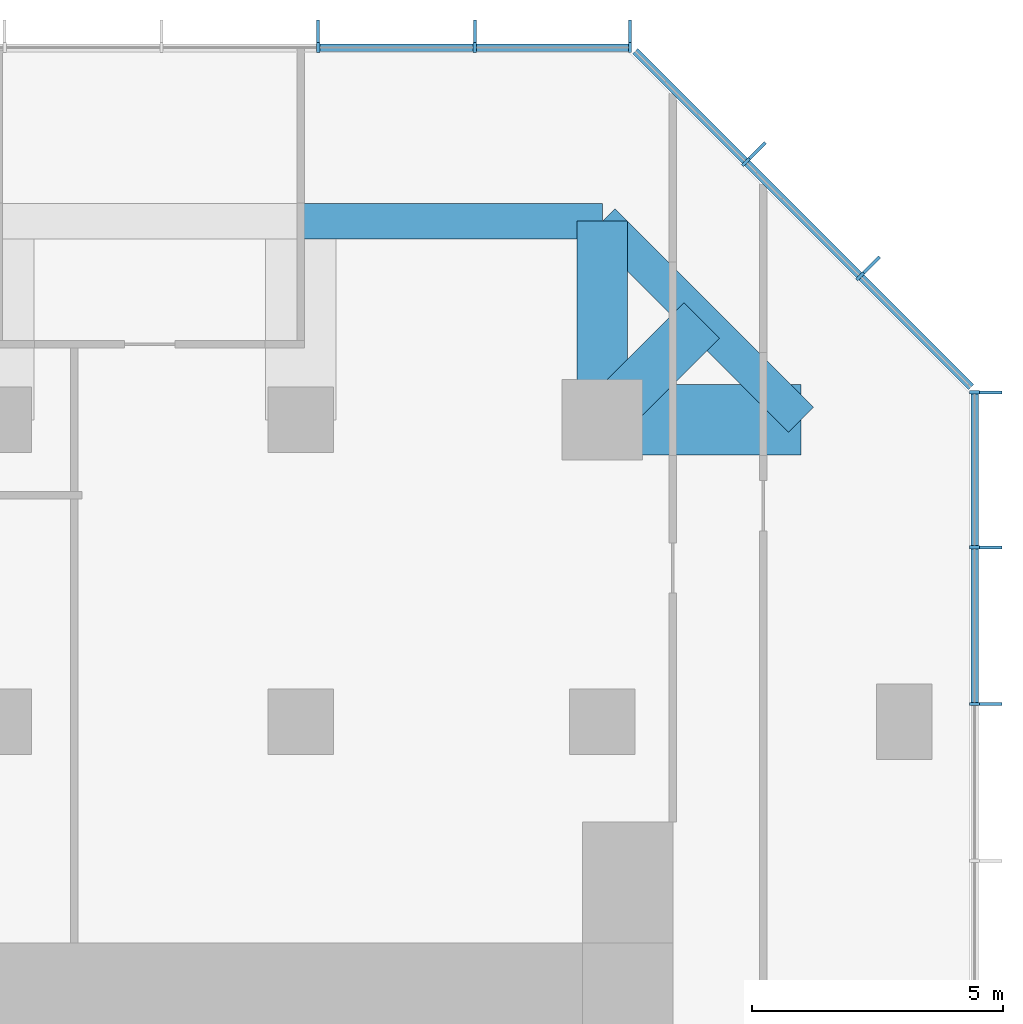
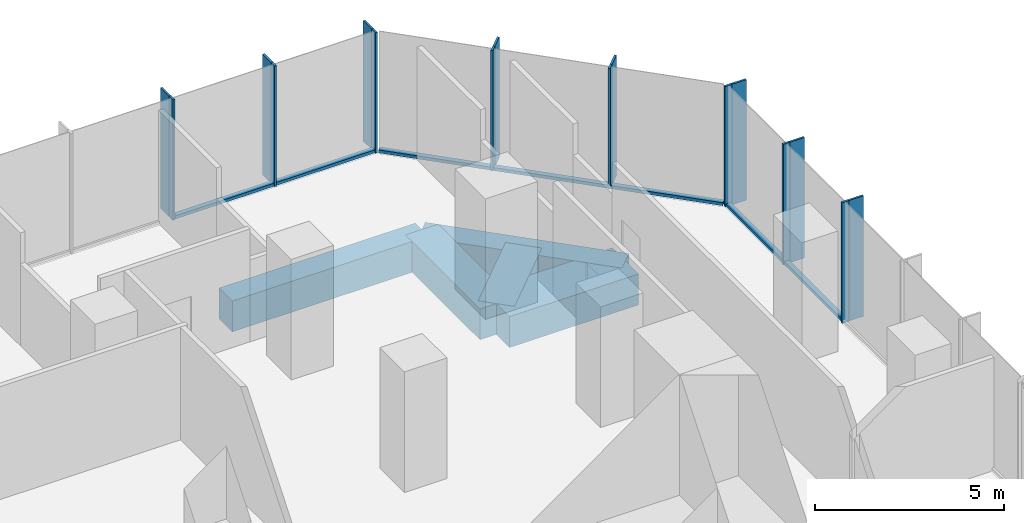
# One storey, part 6 of 11: 23 members, 5 beams, 3 elements without a shape of their own.
"""IFC4 building model written with IfcOpenShell, lengths in metres."""

from ifc_helpers import new_model, si_unit, direction, frame, origin, origin_2d, place, context, subcontext, project, spatial, rectangle, extrude, material, layer, layer_set, material_profile, profile_set, type_object, element, aggregate, save


model = new_model("IFC4")

# Units and contexts
model_context = context("Model", 3, precision=1e-05, world=origin(), true_north=direction((0.0, 1.0)))
body_context = subcontext(model_context, "Body", "Model", "MODEL_VIEW")
ifc_project = project(units=[si_unit("LENGTHUNIT", "METRE"), si_unit("AREAUNIT", "SQUARE_METRE"), si_unit("VOLUMEUNIT", "CUBIC_METRE"), si_unit("PLANEANGLEUNIT", "RADIAN"), si_unit("MASSUNIT", "GRAM", prefix="KILO")], contexts=[model_context])

# Site, building, storey
site_placement = place(None, origin())
site = spatial("IfcSite", under=ifc_project, at=site_placement, CompositionType="ELEMENT")
building_placement = place(site_placement, origin())
building = spatial("IfcBuilding", under=site, at=building_placement, Name="Highveld Stack Headquarters", CompositionType="ELEMENT")
storey_placement = place(building_placement, frame((0.0, 0.0, 196.699951171875)))
storey = spatial("IfcBuildingStorey", under=building, at=storey_placement, Name="L48", CompositionType="ELEMENT", Elevation=196.699951171875)

# Beams
ifc_material_1 = material(Name="Concrete C60/75", Category="concrete")
ifc_material_profile_1 = material_profile(ifc_material_1, rectangle(XDim=1.0, YDim=1.0, at=origin_2d()), Name="RC 1000x1000")
ifc_profile_set_1 = profile_set([ifc_material_profile_1], Name="Concrete C60/75")
beam_type_1 = type_object("IfcBeamType", Name="CANTILEVER RIB RC 1000x1000", PredefinedType="USERDEFINED", material=ifc_profile_set_1)
beam_1_placement = place(storey_placement, frame((18.0, 24.0, -0.75), z_axis=(0.0, 1.0, 0.0), x_axis=(-1.0, 0.0, 0.0)))
element("IfcBeam", 1, at=beam_1_placement, inside=storey, type_object=beam_type_1, Name="Cantilever rib 9/J L48", ObjectType="CANTILEVER RIB", PredefinedType="USERDEFINED", context=body_context, shape_type="SweptSolid", body=[
    extrude(rectangle(XDim=1.0, YDim=1.0, at=origin_2d()), origin(), (0.0, 0.0, 1.0), 3.949951171875),
])
beam_2_placement = place(storey_placement, frame((18.0, 24.0, -0.75), z_axis=(0.707106781187, 0.707106781187, 0.0), x_axis=(-0.707106781187, 0.707106781187, 0.0)))
element("IfcBeam", 2, at=beam_2_placement, inside=storey, type_object=beam_type_1, Name="Cantilever rib 9/J L48", ObjectType="CANTILEVER RIB", PredefinedType="USERDEFINED", context=body_context, shape_type="SweptSolid", body=[
    extrude(rectangle(XDim=1.0, YDim=1.0, at=origin_2d()), origin(), (0.0, 0.0, 1.0), 2.793212890625),
])
ifc_material_2 = material(Name="Concrete C60/75", Category="concrete")
ifc_material_profile_2 = material_profile(ifc_material_2, rectangle(XDim=1.39990234375, YDim=1.0, at=origin_2d()), Name="RC 1400x1000")
ifc_profile_set_2 = profile_set([ifc_material_profile_2], Name="Concrete C60/75")
beam_type_2 = type_object("IfcBeamType", Name="CANTILEVER RIB RC 1400x1000", PredefinedType="USERDEFINED", material=ifc_profile_set_2)
beam_3_placement = place(storey_placement, frame((18.0, 24.0, -0.75), z_axis=(1.0, 0.0, 0.0), x_axis=(0.0, 1.0, 0.0)))
element("IfcBeam", 3, at=beam_3_placement, inside=storey, type_object=beam_type_2, Name="Cantilever rib 9/J L48", ObjectType="CANTILEVER RIB", PredefinedType="USERDEFINED", context=body_context, shape_type="SweptSolid", body=[
    extrude(rectangle(XDim=1.39990234375, YDim=1.0, at=origin_2d()), origin(), (0.0, 0.0, 1.0), 3.949951171875),
])

# Curtain wall, members
ifc_material_3 = material(Name="Aluminium bronze anodised", Category="aluminium")
ifc_layer_1 = layer(ifc_material_3, 0.199951171875)
ifc_layer_set_1 = layer_set([ifc_layer_1], Name="Aluminium bronze anodised")
curtain_wall_type_1 = type_object("IfcCurtainWallType", Name="CW1 TOWER UNITISED CURTAIN WALL", PredefinedType="NOTDEFINED", material=ifc_layer_set_1)
curtain_wall_1_placement = place(storey_placement, origin())
curtain_wall_1 = element("IfcCurtainWall", 4, at=curtain_wall_1_placement, inside=storey, type_object=curtain_wall_type_1, Name="Curtain wall CW1 L48 E", PredefinedType="NOTDEFINED")
ifc_material_4 = material(Name="Aluminium bronze anodised", Category="aluminium")
ifc_material_profile_3 = material_profile(ifc_material_4, rectangle(XDim=0.449951171875, YDim=0.06005859375, at=origin_2d()), Name="FIN 450x60")
ifc_profile_set_3 = profile_set([ifc_material_profile_3], Name="Aluminium bronze anodised")
member_type_1 = type_object("IfcMemberType", Name="CW1 BRONZE FIN 450x60", PredefinedType="USERDEFINED", material=ifc_profile_set_3)
member_1_placement = place(storey_placement, frame((25.72509765625, 18.347900390625, 0.0), z_axis=(0.0, 0.0, 1.0), x_axis=(-1.0, 0.0, 0.0)))
member_1 = element("IfcMember", 5, at=member_1_placement, type_object=member_type_1, Name="CW1 fin L48 9", ObjectType="FIN", PredefinedType="USERDEFINED", context=body_context, shape_type="SweptSolid", body=[
    extrude(rectangle(XDim=0.449951171875, YDim=0.06005859375, at=origin_2d()), origin(), (0.0, 0.0, 1.0), 3.900146484375),
])
member_2_placement = place(storey_placement, frame((25.72509765625, 21.4638671875, 0.0), z_axis=(0.0, 0.0, 1.0), x_axis=(-1.0, 0.0, 0.0)))
member_2 = element("IfcMember", 6, at=member_2_placement, type_object=member_type_1, Name="CW1 fin L48 10", ObjectType="FIN", PredefinedType="USERDEFINED", context=body_context, shape_type="SweptSolid", body=[
    extrude(rectangle(XDim=0.449951171875, YDim=0.06005859375, at=origin_2d()), origin(), (0.0, 0.0, 1.0), 3.900146484375),
])
member_3_placement = place(storey_placement, frame((25.72509765625, 24.54736328125, 0.0), z_axis=(0.0, 0.0, 1.0), x_axis=(-1.0, 0.0, 0.0)))
member_3 = element("IfcMember", 7, at=member_3_placement, type_object=member_type_1, Name="CW1 fin L48 11", ObjectType="FIN", PredefinedType="USERDEFINED", context=body_context, shape_type="SweptSolid", body=[
    extrude(rectangle(XDim=0.449951171875, YDim=0.06005859375, at=origin_2d()), origin(), (0.0, 0.0, 1.0), 3.900146484375),
])

curtain_wall_2_placement = place(storey_placement, origin())
curtain_wall_2 = element("IfcCurtainWall", 8, at=curtain_wall_2_placement, inside=storey, type_object=curtain_wall_type_1, Name="Curtain wall CW1 L48 N", PredefinedType="NOTDEFINED")
member_4_placement = place(storey_placement, frame((18.54736328125, 31.72509765625, 0.0), z_axis=(0.0, 0.0, 1.0), x_axis=(0.0, -1.0, 0.0)))
member_4 = element("IfcMember", 9, at=member_4_placement, type_object=member_type_1, Name="CW1 fin L48 1", ObjectType="FIN", PredefinedType="USERDEFINED", context=body_context, shape_type="SweptSolid", body=[
    extrude(rectangle(XDim=0.449951171875, YDim=0.06005859375, at=origin_2d()), origin(), (0.0, 0.0, 1.0), 3.900146484375),
])
member_5_placement = place(storey_placement, frame((15.4638671875, 31.72509765625, 0.0), z_axis=(0.0, 0.0, 1.0), x_axis=(0.0, -1.0, 0.0)))
member_5 = element("IfcMember", 10, at=member_5_placement, type_object=member_type_1, Name="CW1 fin L48 2", ObjectType="FIN", PredefinedType="USERDEFINED", context=body_context, shape_type="SweptSolid", body=[
    extrude(rectangle(XDim=0.449951171875, YDim=0.06005859375, at=origin_2d()), origin(), (0.0, 0.0, 1.0), 3.900146484375),
])
member_6_placement = place(storey_placement, frame((12.347900390625, 31.72509765625, 0.0), z_axis=(0.0, 0.0, 1.0), x_axis=(0.0, -1.0, 0.0)))
member_6 = element("IfcMember", 11, at=member_6_placement, type_object=member_type_1, Name="CW1 fin L48 3", ObjectType="FIN", PredefinedType="USERDEFINED", context=body_context, shape_type="SweptSolid", body=[
    extrude(rectangle(XDim=0.449951171875, YDim=0.06005859375, at=origin_2d()), origin(), (0.0, 0.0, 1.0), 3.900146484375),
])

# Member
ifc_material_5 = material(Name="Aluminium bronze anodised", Category="aluminium")
ifc_material_profile_4 = material_profile(ifc_material_5, rectangle(XDim=0.199951171875, YDim=0.06494140625, at=origin_2d()), Name="CW1 MULLION 65x200")
ifc_profile_set_4 = profile_set([ifc_material_profile_4], Name="Aluminium bronze anodised")
member_type_2 = type_object("IfcMemberType", Name="CW1 MULLION 65x200", PredefinedType="MULLION", material=ifc_profile_set_4)
member_7_placement = place(storey_placement, frame((25.39990234375, 18.347900390625, 0.0), z_axis=(0.0, 0.0, 1.0), x_axis=(-1.0, 0.0, 0.0)))
member_7 = element("IfcMember", 12, at=member_7_placement, type_object=member_type_2, Name="CW1 mullion L48 9", PredefinedType="MULLION", context=body_context, shape_type="SweptSolid", body=[
    extrude(rectangle(XDim=0.199951171875, YDim=0.06494140625, at=origin_2d()), origin(), (0.0, 0.0, 1.0), 3.900146484375),
])

member_8_placement = place(storey_placement, frame((25.39990234375, 21.4638671875, 0.0), z_axis=(0.0, 0.0, 1.0), x_axis=(-1.0, 0.0, 0.0)))
member_8 = element("IfcMember", 13, at=member_8_placement, type_object=member_type_2, Name="CW1 mullion L48 10", PredefinedType="MULLION", context=body_context, shape_type="SweptSolid", body=[
    extrude(rectangle(XDim=0.199951171875, YDim=0.06494140625, at=origin_2d()), origin(), (0.0, 0.0, 1.0), 3.900146484375),
])

member_9_placement = place(storey_placement, frame((25.39990234375, 24.54736328125, 0.0), z_axis=(0.0, 0.0, 1.0), x_axis=(-1.0, 0.0, 0.0)))
member_9 = element("IfcMember", 14, at=member_9_placement, type_object=member_type_2, Name="CW1 mullion L48 11", PredefinedType="MULLION", context=body_context, shape_type="SweptSolid", body=[
    extrude(rectangle(XDim=0.199951171875, YDim=0.06494140625, at=origin_2d()), origin(), (0.0, 0.0, 1.0), 3.900146484375),
])

member_10_placement = place(storey_placement, frame((18.54736328125, 31.39990234375, 0.0), z_axis=(0.0, 0.0, 1.0), x_axis=(0.0, -1.0, 0.0)))
member_10 = element("IfcMember", 15, at=member_10_placement, type_object=member_type_2, Name="CW1 mullion L48 1", PredefinedType="MULLION", context=body_context, shape_type="SweptSolid", body=[
    extrude(rectangle(XDim=0.199951171875, YDim=0.06494140625, at=origin_2d()), origin(), (0.0, 0.0, 1.0), 3.900146484375),
])

member_11_placement = place(storey_placement, frame((15.4638671875, 31.39990234375, 0.0), z_axis=(0.0, 0.0, 1.0), x_axis=(0.0, -1.0, 0.0)))
member_11 = element("IfcMember", 16, at=member_11_placement, type_object=member_type_2, Name="CW1 mullion L48 2", PredefinedType="MULLION", context=body_context, shape_type="SweptSolid", body=[
    extrude(rectangle(XDim=0.199951171875, YDim=0.06494140625, at=origin_2d()), origin(), (0.0, 0.0, 1.0), 3.900146484375),
])

member_12_placement = place(storey_placement, frame((12.347900390625, 31.39990234375, 0.0), z_axis=(0.0, 0.0, 1.0), x_axis=(0.0, -1.0, 0.0)))
member_12 = element("IfcMember", 17, at=member_12_placement, type_object=member_type_2, Name="CW1 mullion L48 3", PredefinedType="MULLION", context=body_context, shape_type="SweptSolid", body=[
    extrude(rectangle(XDim=0.199951171875, YDim=0.06494140625, at=origin_2d()), origin(), (0.0, 0.0, 1.0), 3.900146484375),
])

ifc_material_6 = material(Name="Aluminium bronze anodised", Category="aluminium")
ifc_material_profile_5 = material_profile(ifc_material_6, rectangle(XDim=0.14990234375, YDim=0.10009765625, at=origin_2d()), Name="CW1 TRANSOM 150x100")
ifc_profile_set_5 = profile_set([ifc_material_profile_5], Name="Aluminium bronze anodised")
member_type_3 = type_object("IfcMemberType", Name="CW1 STACK TRANSOM 150x100", PredefinedType="USERDEFINED", material=ifc_profile_set_5)
member_13_placement = place(storey_placement, frame((25.39990234375, 18.38037109375, 0.050048828125), z_axis=(0.0, 1.0, 0.0), x_axis=(-1.0, 0.0, 0.0)))
member_13 = element("IfcMember", 18, at=member_13_placement, type_object=member_type_3, Name="CW1 transom L48 9.1", ObjectType="TRANSOM", PredefinedType="USERDEFINED", context=body_context, shape_type="SweptSolid", body=[
    extrude(rectangle(XDim=0.14990234375, YDim=0.10009765625, at=origin_2d()), origin(), (0.0, 0.0, 1.0), 3.051025390625),
])

member_14_placement = place(storey_placement, frame((25.39990234375, 21.496337890625, 0.050048828125), z_axis=(0.0, 1.0, 0.0), x_axis=(-1.0, 0.0, 0.0)))
member_14 = element("IfcMember", 19, at=member_14_placement, type_object=member_type_3, Name="CW1 transom L48 10.1", ObjectType="TRANSOM", PredefinedType="USERDEFINED", context=body_context, shape_type="SweptSolid", body=[
    extrude(rectangle(XDim=0.14990234375, YDim=0.10009765625, at=origin_2d()), origin(), (0.0, 0.0, 1.0), 3.0185546875),
])

aggregate(curtain_wall_1, [member_7, member_1, member_8, member_2, member_9, member_3, member_13, member_14])

member_15_placement = place(storey_placement, frame((18.514892578125, 31.39990234375, 0.050048828125), z_axis=(-1.0, 0.0, 0.0), x_axis=(0.0, -1.0, 0.0)))
member_15 = element("IfcMember", 20, at=member_15_placement, type_object=member_type_3, Name="CW1 transom L48 1.1", ObjectType="TRANSOM", PredefinedType="USERDEFINED", context=body_context, shape_type="SweptSolid", body=[
    extrude(rectangle(XDim=0.14990234375, YDim=0.10009765625, at=origin_2d()), origin(), (0.0, 0.0, 1.0), 3.0185546875),
])

member_16_placement = place(storey_placement, frame((15.431396484375, 31.39990234375, 0.050048828125), z_axis=(-1.0, 0.0, 0.0), x_axis=(0.0, -1.0, 0.0)))
member_16 = element("IfcMember", 21, at=member_16_placement, type_object=member_type_3, Name="CW1 transom L48 2.1", ObjectType="TRANSOM", PredefinedType="USERDEFINED", context=body_context, shape_type="SweptSolid", body=[
    extrude(rectangle(XDim=0.14990234375, YDim=0.10009765625, at=origin_2d()), origin(), (0.0, 0.0, 1.0), 3.051025390625),
])

aggregate(curtain_wall_2, [member_10, member_4, member_11, member_5, member_12, member_6, member_15, member_16])

# Curtain wall, members
ifc_material_7 = material(Name="Aluminium bronze anodised", Category="aluminium")
ifc_layer_2 = layer(ifc_material_7, 0.199951171875)
ifc_layer_set_2 = layer_set([ifc_layer_2], Name="Aluminium bronze anodised")
curtain_wall_type_2 = type_object("IfcCurtainWallType", Name="CW2 TOWER CHAMFER UNITISED CURTAIN WALL", PredefinedType="NOTDEFINED", material=ifc_layer_set_2)
curtain_wall_3_placement = place(storey_placement, origin())
curtain_wall_3 = element("IfcCurtainWall", 22, at=curtain_wall_3_placement, inside=storey, type_object=curtain_wall_type_2, Name="Curtain wall CW2 L48 NE", PredefinedType="NOTDEFINED")
ifc_material_8 = material(Name="Aluminium bronze anodised", Category="aluminium")
ifc_material_profile_6 = material_profile(ifc_material_8, rectangle(XDim=0.449951171875, YDim=0.06005859375, at=origin_2d()), Name="FIN 450x60")
ifc_profile_set_6 = profile_set([ifc_material_profile_6], Name="Aluminium bronze anodised")
member_type_4 = type_object("IfcMemberType", Name="CW2 BRONZE FIN 450x60", PredefinedType="USERDEFINED", material=ifc_profile_set_6)
member_17_placement = place(storey_placement, frame((23.3564453125, 27.0830078125, 0.0), z_axis=(0.0, 0.0, 1.0), x_axis=(-0.707106781187, -0.707106781187, 0.0)))
member_17 = element("IfcMember", 23, at=member_17_placement, type_object=member_type_4, Name="CW2 fin L48 1", ObjectType="FIN", PredefinedType="USERDEFINED", context=body_context, shape_type="SweptSolid", body=[
    extrude(rectangle(XDim=0.449951171875, YDim=0.06005859375, at=origin_2d()), origin(), (0.0, 0.0, 1.0), 3.900146484375),
])
member_18_placement = place(storey_placement, frame((21.0830078125, 29.3564453125, 0.0), z_axis=(0.0, 0.0, 1.0), x_axis=(-0.707106781187, -0.707106781187, 0.0)))
member_18 = element("IfcMember", 24, at=member_18_placement, type_object=member_type_4, Name="CW2 fin L48 2", ObjectType="FIN", PredefinedType="USERDEFINED", context=body_context, shape_type="SweptSolid", body=[
    extrude(rectangle(XDim=0.449951171875, YDim=0.06005859375, at=origin_2d()), origin(), (0.0, 0.0, 1.0), 3.900146484375),
])
ifc_material_9 = material(Name="Aluminium bronze anodised", Category="aluminium")
ifc_material_profile_7 = material_profile(ifc_material_9, rectangle(XDim=0.199951171875, YDim=0.06494140625, at=origin_2d()), Name="CW2 MULLION 65x200")
ifc_profile_set_7 = profile_set([ifc_material_profile_7], Name="Aluminium bronze anodised")
member_type_5 = type_object("IfcMemberType", Name="CW2 MULLION 65x200", PredefinedType="MULLION", material=ifc_profile_set_7)
member_19_placement = place(storey_placement, frame((23.126708984375, 26.853271484375, 0.0), z_axis=(0.0, 0.0, 1.0), x_axis=(-0.707106781187, -0.707106781187, 0.0)))
member_19 = element("IfcMember", 25, at=member_19_placement, type_object=member_type_5, Name="CW2 mullion L48 1", PredefinedType="MULLION", context=body_context, shape_type="SweptSolid", body=[
    extrude(rectangle(XDim=0.199951171875, YDim=0.06494140625, at=origin_2d()), origin(), (0.0, 0.0, 1.0), 3.900146484375),
])
member_20_placement = place(storey_placement, frame((20.853271484375, 29.126708984375, 0.0), z_axis=(0.0, 0.0, 1.0), x_axis=(-0.707106781187, -0.707106781187, 0.0)))
member_20 = element("IfcMember", 26, at=member_20_placement, type_object=member_type_5, Name="CW2 mullion L48 2", PredefinedType="MULLION", context=body_context, shape_type="SweptSolid", body=[
    extrude(rectangle(XDim=0.199951171875, YDim=0.06494140625, at=origin_2d()), origin(), (0.0, 0.0, 1.0), 3.900146484375),
])
ifc_material_10 = material(Name="Aluminium bronze anodised", Category="aluminium")
ifc_material_profile_8 = material_profile(ifc_material_10, rectangle(XDim=0.14990234375, YDim=0.10009765625, at=origin_2d()), Name="CW2 TRANSOM 150x100")
ifc_profile_set_8 = profile_set([ifc_material_profile_8], Name="Aluminium bronze anodised")
member_type_6 = type_object("IfcMemberType", Name="CW2 STACK TRANSOM 150x100", PredefinedType="USERDEFINED", material=ifc_profile_set_8)
member_21_placement = place(storey_placement, frame((25.329345703125, 24.650634765625, 0.050048828125), z_axis=(-0.707106781187, 0.707106781187, 0.0), x_axis=(-0.707106781187, -0.707106781187, 0.0)))
member_21 = element("IfcMember", 27, at=member_21_placement, type_object=member_type_6, Name="CW2 transom L48 1.1", ObjectType="TRANSOM", PredefinedType="USERDEFINED", context=body_context, shape_type="SweptSolid", body=[
    extrude(rectangle(XDim=0.14990234375, YDim=0.10009765625, at=origin_2d()), origin(), (0.0, 0.0, 1.0), 3.08251953125),
])
member_22_placement = place(storey_placement, frame((23.103759765625, 26.876220703125, 0.050048828125), z_axis=(-0.707106781187, 0.707106781187, 0.0), x_axis=(-0.707106781187, -0.707106781187, 0.0)))
member_22 = element("IfcMember", 28, at=member_22_placement, type_object=member_type_6, Name="CW2 transom L48 2.1", ObjectType="TRANSOM", PredefinedType="USERDEFINED", context=body_context, shape_type="SweptSolid", body=[
    extrude(rectangle(XDim=0.14990234375, YDim=0.10009765625, at=origin_2d()), origin(), (0.0, 0.0, 1.0), 3.150146484375),
])
member_23_placement = place(storey_placement, frame((20.830322265625, 29.149658203125, 0.050048828125), z_axis=(-0.707106781187, 0.707106781187, 0.0), x_axis=(-0.707106781187, -0.707106781187, 0.0)))
member_23 = element("IfcMember", 29, at=member_23_placement, type_object=member_type_6, Name="CW2 transom L48 3.1", ObjectType="TRANSOM", PredefinedType="USERDEFINED", context=body_context, shape_type="SweptSolid", body=[
    extrude(rectangle(XDim=0.14990234375, YDim=0.10009765625, at=origin_2d()), origin(), (0.0, 0.0, 1.0), 3.08251953125),
])
aggregate(curtain_wall_3, [member_19, member_17, member_20, member_18, member_21, member_22, member_23])

# Beams
ifc_material_11 = material(Name="Concrete C60/75", Category="concrete")
ifc_material_profile_9 = material_profile(ifc_material_11, rectangle(XDim=0.699951171875, YDim=1.0, at=origin_2d()), Name="RC 700x1000")
ifc_profile_set_9 = profile_set([ifc_material_profile_9], Name="Concrete C60/75")
beam_type_3 = type_object("IfcBeamType", Name="RIB TIP BEAM RC 700x1000", PredefinedType="SPANDREL", material=ifc_profile_set_9)
beam_4_placement = place(storey_placement, frame((12.0, 27.949951171875, -0.75), z_axis=(1.0, 0.0, 0.0), x_axis=(0.0, 1.0, 0.0)))
element("IfcBeam", 30, at=beam_4_placement, inside=storey, type_object=beam_type_3, Name="Rib tip beam 8/J to 9/J L48", PredefinedType="SPANDREL", context=body_context, shape_type="SweptSolid", body=[
    extrude(rectangle(XDim=0.699951171875, YDim=1.0, at=origin_2d()), origin(), (0.0, 0.0, 1.0), 6.0),
])
beam_5_placement = place(storey_placement, frame((21.949951171875, 24.0, -0.75), z_axis=(-0.707106781187, 0.707106781187, 0.0), x_axis=(-0.707106781187, -0.707106781187, 0.0)))
element("IfcBeam", 31, at=beam_5_placement, inside=storey, type_object=beam_type_3, Name="Rib tip beam 9/J corner L48", PredefinedType="SPANDREL", context=body_context, shape_type="SweptSolid", body=[
    extrude(rectangle(XDim=0.699951171875, YDim=1.0, at=origin_2d()), origin(), (0.0, 0.0, 1.0), 5.586181640625),
])

save(model, "model.ifc")
